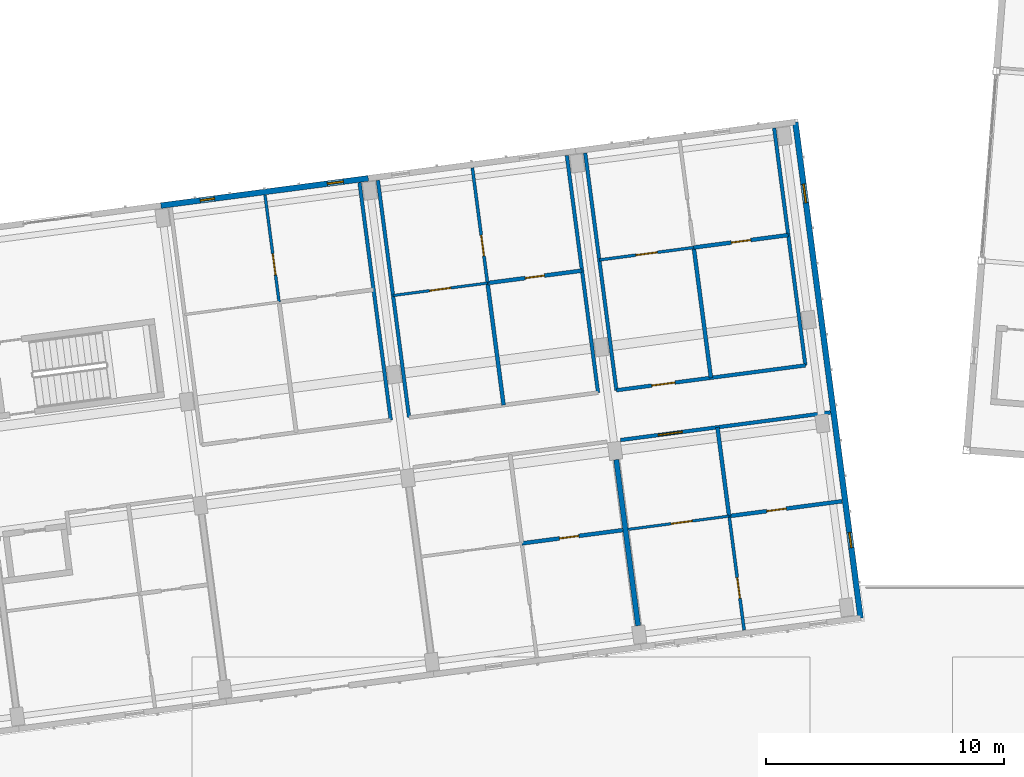
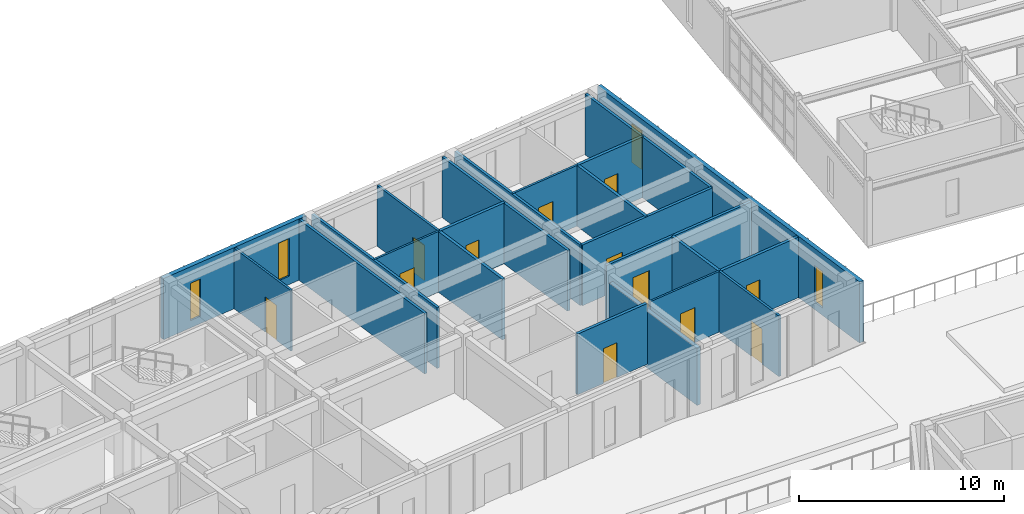
# One storey, part 95 of 150: 23 walls, 12 doors, 4 windows, 16 openings.
"""IFC4 building model written with IfcOpenShell, lengths in metres."""

from ifc_helpers import new_model, si_unit, direction, frame, frame_2d, origin, place, context, subcontext, project, spatial, rectangle, extrude, material, layer, layer_set, type_object, element, fill, save


model = new_model("IFC4")

# Units and contexts
model_context = context("Model", 3, precision=1e-05, world=origin(), true_north=direction((0.0, 1.0)))
body_context = subcontext(model_context, "Body", "Model", "MODEL_VIEW")
ifc_project = project(units=[si_unit("LENGTHUNIT", "METRE"), si_unit("AREAUNIT", "SQUARE_METRE"), si_unit("VOLUMEUNIT", "CUBIC_METRE"), si_unit("PLANEANGLEUNIT", "RADIAN"), si_unit("MASSUNIT", "GRAM", prefix="KILO")], contexts=[model_context])

# Site, building, storey
site_placement = place(None, origin())
site = spatial("IfcSite", under=ifc_project, at=site_placement, CompositionType="ELEMENT")
building_placement = place(site_placement, origin())
building = spatial("IfcBuilding", under=site, at=building_placement, Name="Kestramere Prow Commons", CompositionType="ELEMENT")
storey_placement = place(building_placement, frame((0.0, 0.0, 4.5)))
storey = spatial("IfcBuildingStorey", under=building, at=storey_placement, Name="L01", CompositionType="ELEMENT", Elevation=4.5)

# Wall, openings, windows
ifc_material_1 = material(Name="Fluoropolymer Standing-Seam Zinc-Aluminium Cladding", Category="aluminium")
ifc_layer_1 = layer(ifc_material_1, 0.239990234375)
ifc_layer_set_1 = layer_set([ifc_layer_1], Name="Fluoropolymer Standing-Seam Zinc-Aluminium Cladding")
wall_type_1 = type_object("IfcWallType", Name="EW-SEAM-240", PredefinedType="SOLIDWALL", material=ifc_layer_set_1)
wall_1_placement = place(storey_placement, frame((34.695068359375, 95.79541015625, 0.0), z_axis=(0.0, 0.0, 1.0), x_axis=(0.991447967712, 0.130502595073, 0.0)))
wall_1 = element("IfcWall", 1, at=wall_1_placement, inside=storey, type_object=wall_type_1, Name="Block A L01 North Standing-Seam Wall 4", PredefinedType="SOLIDWALL", context=body_context, shape_type="SweptSolid", body=[
    extrude(rectangle(XDim=8.800048828125, YDim=0.239990234375, at=frame_2d((4.39990234375, 0.0))), origin(), (0.0, 0.0, 1.0), 3.64990234375),
])
opening_1_placement = place(wall_1_placement, frame((1.672119140625, 0.0, 0.43994140625)))
opening_1 = element("IfcOpeningElement", 2, at=opening_1_placement, cuts=wall_1, Name="Opening WN-02", PredefinedType="OPENING", context=body_context, shape_type="SweptSolid", body=[
    extrude(rectangle(XDim=0.60009765625, YDim=2.219970703125, at=frame_2d((0.300048828125, 1.10986328125))), frame((0.0, 0.135009765625, 0.0), z_axis=(0.0, -1.0, 0.0), x_axis=(1.0, 0.0, 0.0)), (0.0, 0.0, 1.0), 0.27001953125),
])
opening_2_placement = place(wall_1_placement, frame((7.06591796875, 0.0, 0.5)))
opening_2 = element("IfcOpeningElement", 3, at=opening_2_placement, cuts=wall_1, Name="Opening WN-06", PredefinedType="OPENING", context=body_context, shape_type="SweptSolid", body=[
    extrude(rectangle(XDim=0.679931640625, YDim=2.239990234375, at=frame_2d((0.33984375, 1.1201171875))), frame((0.0, 0.135009765625, 0.0), z_axis=(0.0, -1.0, 0.0), x_axis=(1.0, 0.0, 0.0)), (0.0, 0.0, 1.0), 0.27001953125),
])
ifc_material_2 = material(Name="Low-E Laminated Double Glazing", Category="glass")
window_type_1 = type_object("IfcWindowType", Name="WN-NAR-600A", PartitioningType="SINGLE_PANEL", PredefinedType="WINDOW", material=ifc_material_2)
window_1_placement = place(opening_1_placement, origin())
window_1 = element("IfcWindow", 4, at=window_1_placement, inside=storey, type_object=window_type_1, Name="WN-A-L01-N-3-0", OverallHeight=2.219970703125, OverallWidth=0.60009765625, PartitioningType="SINGLE_PANEL", PredefinedType="WINDOW", context=body_context, shape_type="SweptSolid", body=[
    extrude(rectangle(XDim=0.60009765625, YDim=2.219970703125, at=frame_2d((0.300048828125, 1.10986328125))), frame((0.0, 0.030029296875, 0.0), z_axis=(0.0, -1.0, 0.0), x_axis=(1.0, 0.0, 0.0)), (0.0, 0.0, 1.0), 0.06005859375),
])
fill(opening_1, window_1)
window_type_2 = type_object("IfcWindowType", Name="WN-NAR-680A", PartitioningType="SINGLE_PANEL", PredefinedType="WINDOW", material=ifc_material_2)
window_2_placement = place(opening_2_placement, origin())
window_2 = element("IfcWindow", 5, at=window_2_placement, inside=storey, type_object=window_type_2, Name="WN-A-L01-N-3-1", OverallHeight=2.239990234375, OverallWidth=0.679931640625, PartitioningType="SINGLE_PANEL", PredefinedType="WINDOW", context=body_context, shape_type="SweptSolid", body=[
    extrude(rectangle(XDim=0.679931640625, YDim=2.239990234375, at=frame_2d((0.33984375, 1.1201171875))), frame((0.0, 0.030029296875, 0.0), z_axis=(0.0, -1.0, 0.0), x_axis=(1.0, 0.0, 0.0)), (0.0, 0.0, 1.0), 0.06005859375),
])
fill(opening_2, window_2)

wall_2_placement = place(storey_placement, frame((61.3896484375, 99.309814453125, 0.0), z_axis=(0.0, 0.0, 1.0), x_axis=(0.13052411616, -0.99144513469, 0.0)))
wall_2 = element("IfcWall", 6, at=wall_2_placement, inside=storey, type_object=wall_type_1, Name="Block A L01 EAV Facet Wall", PredefinedType="SOLIDWALL", context=body_context, shape_type="SweptSolid", body=[
    extrude(rectangle(XDim=21.05029296875, YDim=0.239990234375, at=frame_2d((10.525146484375, 0.0))), origin(), (0.0, 0.0, 1.0), 3.64990234375),
])
opening_3_placement = place(wall_2_placement, frame((2.6298828125, 0.0, 0.52001953125)))
opening_3 = element("IfcOpeningElement", 7, at=opening_3_placement, cuts=wall_2, Name="Opening WN-12", PredefinedType="OPENING", context=body_context, shape_type="SweptSolid", body=[
    extrude(rectangle(XDim=0.800048828125, YDim=2.300048828125, at=frame_2d((0.39990234375, 1.14990234375))), frame((0.0, 0.135009765625, 0.0), z_axis=(0.0, -1.0, 0.0), x_axis=(1.0, 0.0, 0.0)), (0.0, 0.0, 1.0), 0.27001953125),
])
opening_4_placement = place(wall_2_placement, frame((17.419921875, 0.0, 0.449951171875)))
opening_4 = element("IfcOpeningElement", 8, at=opening_4_placement, cuts=wall_2, Name="Opening WN-04", PredefinedType="OPENING", context=body_context, shape_type="SweptSolid", body=[
    extrude(rectangle(XDim=0.639892578125, YDim=2.179931640625, at=frame_2d((0.31982421875, 1.08984375))), frame((0.0, 0.135009765625, 0.0), z_axis=(0.0, -1.0, 0.0), x_axis=(1.0, 0.0, 0.0)), (0.0, 0.0, 1.0), 0.27001953125),
])
window_type_3 = type_object("IfcWindowType", Name="WN-NAR-640A", PartitioningType="SINGLE_PANEL", PredefinedType="WINDOW", material=ifc_material_2)
window_3_placement = place(opening_4_placement, origin())
window_3 = element("IfcWindow", 9, at=window_3_placement, inside=storey, type_object=window_type_3, Name="WN-A-L01-EAV-1", OverallHeight=2.179931640625, OverallWidth=0.639892578125, PartitioningType="SINGLE_PANEL", PredefinedType="WINDOW", context=body_context, shape_type="SweptSolid", body=[
    extrude(rectangle(XDim=0.639892578125, YDim=2.179931640625, at=frame_2d((0.31982421875, 1.08984375))), frame((0.0, 0.030029296875, 0.0), z_axis=(0.0, -1.0, 0.0), x_axis=(1.0, 0.0, 0.0)), (0.0, 0.0, 1.0), 0.06005859375),
])
fill(opening_4, window_3)
window_type_4 = type_object("IfcWindowType", Name="WN-NAR-800A", PartitioningType="SINGLE_PANEL", PredefinedType="WINDOW", material=ifc_material_2)
window_4_placement = place(opening_3_placement, origin())
window_4 = element("IfcWindow", 10, at=window_4_placement, inside=storey, type_object=window_type_4, Name="WN-A-L01-EAV-0", OverallHeight=2.300048828125, OverallWidth=0.800048828125, PartitioningType="SINGLE_PANEL", PredefinedType="WINDOW", context=body_context, shape_type="SweptSolid", body=[
    extrude(rectangle(XDim=0.800048828125, YDim=2.300048828125, at=frame_2d((0.39990234375, 1.14990234375))), frame((0.0, 0.030029296875, 0.0), z_axis=(0.0, -1.0, 0.0), x_axis=(1.0, 0.0, 0.0)), (0.0, 0.0, 1.0), 0.06005859375),
])
fill(opening_3, window_4)

# Wall, opening, door
ifc_material_3 = material(Name="Fire-Rated Calcium Silicate Wall")
ifc_layer_2 = layer(ifc_material_3, 0.155029296875)
ifc_layer_set_2 = layer_set([ifc_layer_2], Name="Fire-Rated Calcium Silicate Wall")
wall_type_2 = type_object("IfcWallType", Name="W-FIRE-150", PredefinedType="PARTITIONING", material=ifc_layer_set_2)
wall_3_placement = place(storey_placement, frame((54.033203125, 85.929931640625, 0.0), z_axis=(0.0, 0.0, 1.0), x_axis=(0.991443380249, 0.130537441989, 0.0)))
wall_3 = element("IfcWall", 11, at=wall_3_placement, inside=storey, type_object=wall_type_2, Name="Interior Partition PW-A-L01-CS-5", PredefinedType="PARTITIONING", context=body_context, shape_type="SweptSolid", body=[
    extrude(rectangle(XDim=8.909912109375, YDim=0.155029296875, at=frame_2d((4.455078125, 0.0))), origin(), (0.0, 0.0, 1.0), 3.6201171875),
])
opening_5_placement = place(wall_3_placement, frame((1.60498046875, 0.0, 0.0)))
opening_5 = element("IfcOpeningElement", 12, at=opening_5_placement, cuts=wall_3, Name="Opening ID-05", PredefinedType="OPENING", context=body_context, shape_type="SweptSolid", body=[
    extrude(rectangle(XDim=1.02001953125, YDim=2.199951171875, at=frame_2d((0.510009765625, 1.10009765625))), frame((0.0, 0.092529296875, 0.0), z_axis=(0.0, -1.0, 0.0), x_axis=(1.0, 0.0, 0.0)), (0.0, 0.0, 1.0), 0.18505859375),
])
ifc_material_4 = material(Name="Hardwood Fire-Rated Flat Entrance Door", Category="wood")
door_type_1 = type_object("IfcDoorType", Name="FD-ENT-02", OperationType="NOTDEFINED", PredefinedType="DOOR", material=ifc_material_4)
door_1_placement = place(opening_5_placement, origin())
door_1 = element("IfcDoor", 13, at=door_1_placement, inside=storey, type_object=door_type_1, Name="Interior Door DR-A-L01-ENT-S5", OperationType="SINGLE_SWING_LEFT", OverallHeight=2.199951171875, OverallWidth=1.02001953125, PredefinedType="DOOR", context=body_context, shape_type="SweptSolid", body=[
    extrude(rectangle(XDim=1.02001953125, YDim=2.199951171875, at=frame_2d((0.510009765625, 1.10009765625))), frame((0.0, 0.02490234375, 0.0), z_axis=(0.0, -1.0, 0.0), x_axis=(1.0, 0.0, 0.0)), (0.0, 0.0, 1.0), 0.050048828125),
])
fill(opening_5, door_1)

wall_4_placement = place(storey_placement, frame((53.86328125, 88.02587890625, 0.0), z_axis=(0.0, 0.0, 1.0), x_axis=(0.991447973994, 0.130502547346, 0.0)))
wall_4 = element("IfcWall", 14, at=wall_4_placement, inside=storey, type_object=wall_type_2, Name="Interior Partition PW-A-L01-CN-5", PredefinedType="PARTITIONING", context=body_context, shape_type="SweptSolid", body=[
    extrude(rectangle(XDim=8.02001953125, YDim=0.155029296875, at=frame_2d((4.010009765625, 0.0))), origin(), (0.0, 0.0, 1.0), 3.6201171875),
])
opening_6_placement = place(wall_4_placement, frame((1.5048828125, 0.0, 0.0)))
opening_6 = element("IfcOpeningElement", 15, at=opening_6_placement, cuts=wall_4, Name="Opening ID-04", PredefinedType="OPENING", context=body_context, shape_type="SweptSolid", body=[
    extrude(rectangle(XDim=0.97998046875, YDim=2.14990234375, at=frame_2d((0.489990234375, 1.074951171875))), frame((0.0, 0.092529296875, 0.0), z_axis=(0.0, -1.0, 0.0), x_axis=(1.0, 0.0, 0.0)), (0.0, 0.0, 1.0), 0.18505859375),
])
door_type_2 = type_object("IfcDoorType", Name="FD-ENT-01", OperationType="NOTDEFINED", PredefinedType="DOOR", material=ifc_material_4)
door_2_placement = place(opening_6_placement, origin())
door_2 = element("IfcDoor", 16, at=door_2_placement, inside=storey, type_object=door_type_2, Name="Interior Door DR-A-L01-ENT-N5", OperationType="SINGLE_SWING_RIGHT", OverallHeight=2.14990234375, OverallWidth=0.97998046875, PredefinedType="DOOR", context=body_context, shape_type="SweptSolid", body=[
    extrude(rectangle(XDim=0.97998046875, YDim=2.14990234375, at=frame_2d((0.489990234375, 1.074951171875))), frame((0.0, 0.02490234375, 0.0), z_axis=(0.0, -1.0, 0.0), x_axis=(1.0, 0.0, 0.0)), (0.0, 0.0, 1.0), 0.050048828125),
])
fill(opening_6, door_2)

ifc_material_5 = material(Name="Gypsum Acoustic Drywall")
ifc_layer_3 = layer(ifc_material_5, 0.110107421875)
ifc_layer_set_3 = layer_set([ifc_layer_3], Name="Gypsum Acoustic Drywall")
wall_type_3 = type_object("IfcWallType", Name="W-PART-110", PredefinedType="PARTITIONING", material=ifc_layer_set_3)
wall_5_placement = place(storey_placement, frame((54.356689453125, 82.170166015625, 0.0), z_axis=(0.0, 0.0, 1.0), x_axis=(0.991444014242, 0.130532626667, 0.0)))
wall_5 = element("IfcWall", 17, at=wall_5_placement, inside=storey, type_object=wall_type_3, Name="Interior Partition PW-A-L01-MIDS1-5", PredefinedType="PARTITIONING", context=body_context, shape_type="SweptSolid", body=[
    extrude(rectangle(XDim=4.284912109375, YDim=0.110107421875, at=frame_2d((2.142578125, 0.0))), origin(), (0.0, 0.0, 1.0), 3.6201171875),
])
opening_7_placement = place(wall_5_placement, frame((1.824951171875, 0.0, 0.0)))
opening_7 = element("IfcOpeningElement", 18, at=opening_7_placement, cuts=wall_5, Name="Opening ID-08", PredefinedType="OPENING", context=body_context, shape_type="SweptSolid", body=[
    extrude(rectangle(XDim=0.89990234375, YDim=2.10009765625, at=frame_2d((0.449951171875, 1.050048828125))), frame((0.0, 0.070068359375, 0.0), z_axis=(0.0, -1.0, 0.0), x_axis=(1.0, 0.0, 0.0)), (0.0, 0.0, 1.0), 0.14013671875),
])
ifc_material_6 = material(Name="Engineered Timber Flush Door", Category="wood")
door_type_3 = type_object("IfcDoorType", Name="D-RM-01", OperationType="NOTDEFINED", PredefinedType="DOOR", material=ifc_material_6)
door_3_placement = place(opening_7_placement, origin())
door_3 = element("IfcDoor", 19, at=door_3_placement, inside=storey, type_object=door_type_3, Name="Interior Door DR-A-L01-KL-S5", OperationType="SINGLE_SWING_RIGHT", OverallHeight=2.10009765625, OverallWidth=0.89990234375, PredefinedType="DOOR", context=body_context, shape_type="SweptSolid", body=[
    extrude(rectangle(XDim=0.89990234375, YDim=2.10009765625, at=frame_2d((0.449951171875, 1.050048828125))), frame((0.0, 0.02490234375, 0.0), z_axis=(0.0, -1.0, 0.0), x_axis=(1.0, 0.0, 0.0)), (0.0, 0.0, 1.0), 0.050048828125),
])
fill(opening_7, door_3)

wall_6_placement = place(storey_placement, frame((44.46240234375, 92.012939453125, 0.0), z_axis=(0.0, 0.0, 1.0), x_axis=(0.991451394038, 0.130476562111, 0.0)))
wall_6 = element("IfcWall", 20, at=wall_6_placement, inside=storey, type_object=wall_type_3, Name="Interior Partition PW-A-L01-MIDN1-4", PredefinedType="PARTITIONING", context=body_context, shape_type="SweptSolid", body=[
    extrude(rectangle(XDim=4.009765625, YDim=0.110107421875, at=frame_2d((2.0048828125, 0.0))), origin(), (0.0, 0.0, 1.0), 3.6201171875),
])
opening_8_placement = place(wall_6_placement, frame((1.554931640625, 0.0, 0.0)))
opening_8 = element("IfcOpeningElement", 21, at=opening_8_placement, cuts=wall_6, Name="Opening ID-08", PredefinedType="OPENING", context=body_context, shape_type="SweptSolid", body=[
    extrude(rectangle(XDim=0.89990234375, YDim=2.10009765625, at=frame_2d((0.449951171875, 1.050048828125))), frame((0.0, 0.070068359375, 0.0), z_axis=(0.0, -1.0, 0.0), x_axis=(1.0, 0.0, 0.0)), (0.0, 0.0, 1.0), 0.14013671875),
])
door_4_placement = place(opening_8_placement, origin())
door_4 = element("IfcDoor", 22, at=door_4_placement, inside=storey, type_object=door_type_3, Name="Interior Door DR-A-L01-KL-N4", OperationType="SINGLE_SWING_LEFT", OverallHeight=2.10009765625, OverallWidth=0.89990234375, PredefinedType="DOOR", context=body_context, shape_type="SweptSolid", body=[
    extrude(rectangle(XDim=0.89990234375, YDim=2.10009765625, at=frame_2d((0.449951171875, 1.050048828125))), frame((0.0, 0.02490234375, 0.0), z_axis=(0.0, -1.0, 0.0), x_axis=(1.0, 0.0, 0.0)), (0.0, 0.0, 1.0), 0.050048828125),
])
fill(opening_8, door_4)

ifc_material_7 = material(Name="Lightweight Blockwork and Plaster", Category="masonry")
ifc_layer_4 = layer(ifc_material_7, 0.1201171875)
ifc_layer_set_4 = layer_set([ifc_layer_4], Name="Lightweight Blockwork and Plaster")
wall_type_4 = type_object("IfcWallType", Name="W-PART-120", PredefinedType="PARTITIONING", material=ifc_layer_set_4)
wall_7_placement = place(storey_placement, frame((39.667724609375, 91.734619140625, 0.0), z_axis=(0.0, 0.0, 1.0), x_axis=(-0.130564403497, 0.991439830015, 0.0)))
wall_7 = element("IfcWall", 23, at=wall_7_placement, inside=storey, type_object=wall_type_4, Name="Interior Partition PW-A-L01-LB-N3", PredefinedType="PARTITIONING", context=body_context, shape_type="SweptSolid", body=[
    extrude(rectangle(XDim=4.5400390625, YDim=0.1201171875, at=frame_2d((2.27001953125, 0.0))), origin(), (0.0, 0.0, 1.0), 3.6201171875),
])
opening_9_placement = place(wall_7_placement, frame((1.14990234375, 0.0, 0.0)))
opening_9 = element("IfcOpeningElement", 24, at=opening_9_placement, cuts=wall_7, Name="Opening ID-08", PredefinedType="OPENING", context=body_context, shape_type="SweptSolid", body=[
    extrude(rectangle(XDim=0.89990234375, YDim=2.10009765625, at=frame_2d((0.449951171875, 1.050048828125))), frame((0.0, 0.074951171875, 0.0), z_axis=(0.0, -1.0, 0.0), x_axis=(1.0, 0.0, 0.0)), (0.0, 0.0, 1.0), 0.150146484375),
])
door_5_placement = place(opening_9_placement, origin())
door_5 = element("IfcDoor", 25, at=door_5_placement, inside=storey, type_object=door_type_3, Name="Interior Door DR-A-L01-BED-N3", OperationType="SINGLE_SWING_LEFT", OverallHeight=2.10009765625, OverallWidth=0.89990234375, PredefinedType="DOOR", context=body_context, shape_type="SweptSolid", body=[
    extrude(rectangle(XDim=0.89990234375, YDim=2.10009765625, at=frame_2d((0.449951171875, 1.050048828125))), frame((0.0, 0.02490234375, 0.0), z_axis=(0.0, -1.0, 0.0), x_axis=(1.0, 0.0, 0.0)), (0.0, 0.0, 1.0), 0.050048828125),
])
fill(opening_9, door_5)

wall_8_placement = place(storey_placement, frame((53.141357421875, 93.508544921875, 0.0), z_axis=(0.0, 0.0, 1.0), x_axis=(0.991444553502, 0.130528530716, 0.0)))
wall_8 = element("IfcWall", 26, at=wall_8_placement, inside=storey, type_object=wall_type_4, Name="Interior Partition PW-A-L01-MIDN1-5", PredefinedType="PARTITIONING", context=body_context, shape_type="SweptSolid", body=[
    extrude(rectangle(XDim=4.01025390625, YDim=0.1201171875, at=frame_2d((2.005126953125, 0.0))), origin(), (0.0, 0.0, 1.0), 3.6201171875),
])
opening_10_placement = place(wall_8_placement, frame((1.554931640625, 0.0, 0.0)))
opening_10 = element("IfcOpeningElement", 27, at=opening_10_placement, cuts=wall_8, Name="Opening ID-08", PredefinedType="OPENING", context=body_context, shape_type="SweptSolid", body=[
    extrude(rectangle(XDim=0.89990234375, YDim=2.10009765625, at=frame_2d((0.449951171875, 1.050048828125))), frame((0.0, 0.074951171875, 0.0), z_axis=(0.0, -1.0, 0.0), x_axis=(1.0, 0.0, 0.0)), (0.0, 0.0, 1.0), 0.150146484375),
])
door_6_placement = place(opening_10_placement, origin())
door_6 = element("IfcDoor", 28, at=door_6_placement, inside=storey, type_object=door_type_3, Name="Interior Door DR-A-L01-KL-N5", OperationType="SINGLE_SWING_LEFT", OverallHeight=2.10009765625, OverallWidth=0.89990234375, PredefinedType="DOOR", context=body_context, shape_type="SweptSolid", body=[
    extrude(rectangle(XDim=0.89990234375, YDim=2.10009765625, at=frame_2d((0.449951171875, 1.050048828125))), frame((0.0, 0.02490234375, 0.0), z_axis=(0.0, -1.0, 0.0), x_axis=(1.0, 0.0, 0.0)), (0.0, 0.0, 1.0), 0.050048828125),
])
fill(opening_10, door_6)

ifc_layer_5 = layer(ifc_material_7, 0.1298828125)
ifc_layer_set_5 = layer_set([ifc_layer_5], Name="Lightweight Blockwork and Plaster")
wall_type_5 = type_object("IfcWallType", Name="W-PART-130", PredefinedType="PARTITIONING", material=ifc_layer_set_5)
wall_9_placement = place(storey_placement, frame((59.23681640625, 77.930908203125, 0.0), z_axis=(0.0, 0.0, 1.0), x_axis=(-0.130544545786, 0.991442444908, 0.0)))
wall_9 = element("IfcWall", 29, at=wall_9_placement, inside=storey, type_object=wall_type_5, Name="Interior Partition PW-A-L01-LB-S5", PredefinedType="PARTITIONING", context=body_context, shape_type="SweptSolid", body=[
    extrude(rectangle(XDim=4.840087890625, YDim=0.1298828125, at=frame_2d((2.419921875, 0.0))), origin(), (0.0, 0.0, 1.0), 3.6201171875),
])
opening_11_placement = place(wall_9_placement, frame((1.35009765625, 0.0, 0.0)))
opening_11 = element("IfcOpeningElement", 30, at=opening_11_placement, cuts=wall_9, Name="Opening ID-10", PredefinedType="OPENING", context=body_context, shape_type="SweptSolid", body=[
    extrude(rectangle(XDim=0.8798828125, YDim=2.10009765625, at=frame_2d((0.43994140625, 1.050048828125))), frame((0.0, 0.079833984375, 0.0), z_axis=(0.0, -1.0, 0.0), x_axis=(1.0, 0.0, 0.0)), (0.0, 0.0, 1.0), 0.159912109375),
])
ifc_material_8 = material(Name="Engineered Timber Bedroom Door", Category="wood")
door_type_4 = type_object("IfcDoorType", Name="D-RM-03", OperationType="NOTDEFINED", PredefinedType="DOOR", material=ifc_material_8)
door_7_placement = place(opening_11_placement, origin())
door_7 = element("IfcDoor", 31, at=door_7_placement, inside=storey, type_object=door_type_4, Name="Interior Door DR-A-L01-BED-S5", OperationType="SINGLE_SWING_RIGHT", OverallHeight=2.10009765625, OverallWidth=0.8798828125, PredefinedType="DOOR", context=body_context, shape_type="SweptSolid", body=[
    extrude(rectangle(XDim=0.8798828125, YDim=2.10009765625, at=frame_2d((0.43994140625, 1.050048828125))), frame((0.0, 0.02490234375, 0.0), z_axis=(0.0, -1.0, 0.0), x_axis=(1.0, 0.0, 0.0)), (0.0, 0.0, 1.0), 0.050048828125),
])
fill(opening_11, door_7)

wall_10_placement = place(storey_placement, frame((48.43798828125, 92.5361328125, 0.0), z_axis=(0.0, 0.0, 1.0), x_axis=(-0.130508755558, 0.991447156798, 0.0)))
wall_10 = element("IfcWall", 32, at=wall_10_placement, inside=storey, type_object=wall_type_5, Name="Interior Partition PW-A-L01-LB-N4", PredefinedType="PARTITIONING", context=body_context, shape_type="SweptSolid", body=[
    extrude(rectangle(XDim=4.889892578125, YDim=0.1298828125, at=frame_2d((2.44482421875, 0.0))), origin(), (0.0, 0.0, 1.0), 3.6201171875),
])
opening_12_placement = place(wall_10_placement, frame((1.14990234375, 0.0, 0.0)))
opening_12 = element("IfcOpeningElement", 33, at=opening_12_placement, cuts=wall_10, Name="Opening ID-10", PredefinedType="OPENING", context=body_context, shape_type="SweptSolid", body=[
    extrude(rectangle(XDim=0.8798828125, YDim=2.10009765625, at=frame_2d((0.43994140625, 1.050048828125))), frame((0.0, 0.079833984375, 0.0), z_axis=(0.0, -1.0, 0.0), x_axis=(1.0, 0.0, 0.0)), (0.0, 0.0, 1.0), 0.159912109375),
])
door_8_placement = place(opening_12_placement, origin())
door_8 = element("IfcDoor", 34, at=door_8_placement, inside=storey, type_object=door_type_4, Name="Interior Door DR-A-L01-BED-N4", OperationType="SINGLE_SWING_LEFT", OverallHeight=2.10009765625, OverallWidth=0.8798828125, PredefinedType="DOOR", context=body_context, shape_type="SweptSolid", body=[
    extrude(rectangle(XDim=0.8798828125, YDim=2.10009765625, at=frame_2d((0.43994140625, 1.050048828125))), frame((0.0, 0.02490234375, 0.0), z_axis=(0.0, -1.0, 0.0), x_axis=(1.0, 0.0, 0.0)), (0.0, 0.0, 1.0), 0.050048828125),
])
fill(opening_12, door_8)

# Walls
ifc_material_9 = material(Name="Masonry Compartment Wall", Category="masonry")
ifc_layer_6 = layer(ifc_material_9, 0.14990234375)
ifc_layer_set_6 = layer_set([ifc_layer_6], Name="Masonry Compartment Wall")
wall_type_6 = type_object("IfcWallType", Name="W-PART-150", PredefinedType="PARTITIONING", material=ifc_layer_set_6)
for number, where, z_axis, x_axis, name in (
    (35, (44.365234375, 86.775390625, 0.0), (0.0, 0.0, 1.0), (-0.130531024319, 0.991444225204, 0.0), "Interior Partition PW-A-L01-NWR-3"),
    (36, (45.138427734375, 86.877197265625, 0.0), (0.0, 0.0, 1.0), (-0.130531024319, 0.991444225204, 0.0), "Interior Partition PW-A-L01-NWL-4"),
):
    element("IfcWall", number, at=place(storey_placement, frame(where, z_axis=z_axis, x_axis=x_axis)), inside=storey, type_object=wall_type_6, Name=name, PredefinedType="PARTITIONING", context=body_context, shape_type="SweptSolid", body=[
        extrude(rectangle(XDim=10.070068359375, YDim=0.14990234375, at=frame_2d((5.03515625, 0.0))), origin(), (0.0, 0.0, 1.0), 3.6201171875),
    ])
for number, where, z_axis, x_axis, name in (
    (37, (53.08984375, 87.924072265625, 0.0), (0.0, 0.0, 1.0), (-0.130534161944, 0.991443812107, 0.0), "Interior Partition PW-A-L01-NWR-4"),
    (38, (53.86328125, 88.02587890625, 0.0), (0.0, 0.0, 1.0), (-0.130534161944, 0.991443812107, 0.0), "Interior Partition PW-A-L01-NWL-5"),
):
    element("IfcWall", number, at=place(storey_placement, frame(where, z_axis=z_axis, x_axis=x_axis)), inside=storey, type_object=wall_type_6, Name=name, PredefinedType="PARTITIONING", context=body_context, shape_type="SweptSolid", body=[
        extrude(rectangle(XDim=10.06982421875, YDim=0.14990234375, at=frame_2d((5.034912109375, 0.0))), origin(), (0.0, 0.0, 1.0), 3.6201171875),
    ])
wall_11_placement = place(storey_placement, frame((61.814697265625, 89.072509765625, 0.0), z_axis=(0.0, 0.0, 1.0), x_axis=(-0.130531024319, 0.991444225204, 0.0)))
element("IfcWall", 39, at=wall_11_placement, inside=storey, type_object=wall_type_6, Name="Interior Partition PW-A-L01-NWR-5", PredefinedType="PARTITIONING", context=body_context, shape_type="SweptSolid", body=[
    extrude(rectangle(XDim=10.070068359375, YDim=0.14990234375, at=frame_2d((5.03515625, 0.0))), origin(), (0.0, 0.0, 1.0), 3.6201171875),
])

# Wall, opening, door
ifc_material_10 = material(Name="Waterproof Sanitary Masonry Wall", Category="masonry")
ifc_layer_7 = layer(ifc_material_10, 0.1650390625)
ifc_layer_set_7 = layer_set([ifc_layer_7], Name="Waterproof Sanitary Masonry Wall")
wall_type_7 = type_object("IfcWallType", Name="W-PLUMB-150", PredefinedType="PLUMBINGWALL", material=ifc_layer_set_7)
wall_12_placement = place(storey_placement, frame((49.88037109375, 81.580810546875, 0.0), z_axis=(0.0, 0.0, 1.0), x_axis=(0.991444014242, 0.130532626667, 0.0)))
wall_12 = element("IfcWall", 40, at=wall_12_placement, inside=storey, type_object=wall_type_7, Name="Interior Partition PW-A-L01-MIDS2-4", PredefinedType="PLUMBINGWALL", context=body_context, shape_type="SweptSolid", body=[
    extrude(rectangle(XDim=4.284912109375, YDim=0.1650390625, at=frame_2d((2.142578125, 0.0))), origin(), (0.0, 0.0, 1.0), 3.6201171875),
])
opening_13_placement = place(wall_12_placement, frame((1.60009765625, 0.0, 0.0)))
opening_13 = element("IfcOpeningElement", 41, at=opening_13_placement, cuts=wall_12, Name="Opening ID-11", PredefinedType="OPENING", context=body_context, shape_type="SweptSolid", body=[
    extrude(rectangle(XDim=0.820068359375, YDim=2.080078125, at=frame_2d((0.41015625, 1.0400390625))), frame((0.0, 0.097412109375, 0.0), z_axis=(0.0, -1.0, 0.0), x_axis=(1.0, 0.0, 0.0)), (0.0, 0.0, 1.0), 0.195068359375),
])
ifc_material_11 = material(Name="Moisture-Resistant Timber Bathroom Door", Category="wood")
door_type_5 = type_object("IfcDoorType", Name="D-BT-01", OperationType="NOTDEFINED", PredefinedType="DOOR", material=ifc_material_11)
door_9_placement = place(opening_13_placement, origin())
door_9 = element("IfcDoor", 42, at=door_9_placement, inside=storey, type_object=door_type_5, Name="Interior Door DR-A-L01-BTH-S4", OperationType="SINGLE_SWING_LEFT", OverallHeight=2.080078125, OverallWidth=0.820068359375, PredefinedType="DOOR", context=body_context, shape_type="SweptSolid", body=[
    extrude(rectangle(XDim=0.820068359375, YDim=2.080078125, at=frame_2d((0.41015625, 1.0400390625))), frame((0.0, 0.02490234375, 0.0), z_axis=(0.0, -1.0, 0.0), x_axis=(1.0, 0.0, 0.0)), (0.0, 0.0, 1.0), 0.050048828125),
])
fill(opening_13, door_9)

wall_13_placement = place(storey_placement, frame((58.60498046875, 82.7294921875, 0.0), z_axis=(0.0, 0.0, 1.0), x_axis=(0.991449269254, 0.130492706676, 0.0)))
wall_13 = element("IfcWall", 43, at=wall_13_placement, inside=storey, type_object=wall_type_7, Name="Interior Partition PW-A-L01-MIDS2-5", PredefinedType="PLUMBINGWALL", context=body_context, shape_type="SweptSolid", body=[
    extrude(rectangle(XDim=4.795166015625, YDim=0.1650390625, at=frame_2d((2.3974609375, 0.0))), origin(), (0.0, 0.0, 1.0), 3.6201171875),
])
opening_14_placement = place(wall_13_placement, frame((1.60009765625, 0.0, 0.0)))
opening_14 = element("IfcOpeningElement", 44, at=opening_14_placement, cuts=wall_13, Name="Opening ID-11", PredefinedType="OPENING", context=body_context, shape_type="SweptSolid", body=[
    extrude(rectangle(XDim=0.820068359375, YDim=2.080078125, at=frame_2d((0.41015625, 1.0400390625))), frame((0.0, 0.097412109375, 0.0), z_axis=(0.0, -1.0, 0.0), x_axis=(1.0, 0.0, 0.0)), (0.0, 0.0, 1.0), 0.195068359375),
])
door_10_placement = place(opening_14_placement, origin())
door_10 = element("IfcDoor", 45, at=door_10_placement, inside=storey, type_object=door_type_5, Name="Interior Door DR-A-L01-BTH-S5", OperationType="SINGLE_SWING_LEFT", OverallHeight=2.080078125, OverallWidth=0.820068359375, PredefinedType="DOOR", context=body_context, shape_type="SweptSolid", body=[
    extrude(rectangle(XDim=0.820068359375, YDim=2.080078125, at=frame_2d((0.41015625, 1.0400390625))), frame((0.0, 0.02490234375, 0.0), z_axis=(0.0, -1.0, 0.0), x_axis=(1.0, 0.0, 0.0)), (0.0, 0.0, 1.0), 0.050048828125),
])
fill(opening_14, door_10)

# Wall
wall_14_placement = place(storey_placement, frame((58.60498046875, 82.7294921875, 0.0), z_axis=(0.0, 0.0, 1.0), x_axis=(-0.130496394248, 0.991448783896, 0.0)))
element("IfcWall", 46, at=wall_14_placement, inside=storey, type_object=wall_type_7, Name="Interior Partition PW-A-L01-KB-S5", PredefinedType="PLUMBINGWALL", context=body_context, shape_type="SweptSolid", body=[
    extrude(rectangle(XDim=3.769775390625, YDim=0.1650390625, at=frame_2d((1.884765625, 0.0))), origin(), (0.0, 0.0, 1.0), 3.6201171875),
])

# Wall, opening, door
wall_15_placement = place(storey_placement, frame((48.43798828125, 92.5361328125, 0.0), z_axis=(0.0, 0.0, 1.0), x_axis=(0.991444553502, 0.130528530716, 0.0)))
wall_15 = element("IfcWall", 47, at=wall_15_placement, inside=storey, type_object=wall_type_7, Name="Interior Partition PW-A-L01-MIDN2-4", PredefinedType="PLUMBINGWALL", context=body_context, shape_type="SweptSolid", body=[
    extrude(rectangle(XDim=4.01025390625, YDim=0.1650390625, at=frame_2d((2.005126953125, 0.0))), origin(), (0.0, 0.0, 1.0), 3.6201171875),
])
opening_15_placement = place(wall_15_placement, frame((1.594970703125, 0.0, 0.0)))
opening_15 = element("IfcOpeningElement", 48, at=opening_15_placement, cuts=wall_15, Name="Opening ID-11", PredefinedType="OPENING", context=body_context, shape_type="SweptSolid", body=[
    extrude(rectangle(XDim=0.820068359375, YDim=2.080078125, at=frame_2d((0.41015625, 1.0400390625))), frame((0.0, 0.097412109375, 0.0), z_axis=(0.0, -1.0, 0.0), x_axis=(1.0, 0.0, 0.0)), (0.0, 0.0, 1.0), 0.195068359375),
])
door_11_placement = place(opening_15_placement, origin())
door_11 = element("IfcDoor", 49, at=door_11_placement, inside=storey, type_object=door_type_5, Name="Interior Door DR-A-L01-BTH-N4", OperationType="SINGLE_SWING_RIGHT", OverallHeight=2.080078125, OverallWidth=0.820068359375, PredefinedType="DOOR", context=body_context, shape_type="SweptSolid", body=[
    extrude(rectangle(XDim=0.820068359375, YDim=2.080078125, at=frame_2d((0.41015625, 1.0400390625))), frame((0.0, 0.02490234375, 0.0), z_axis=(0.0, -1.0, 0.0), x_axis=(1.0, 0.0, 0.0)), (0.0, 0.0, 1.0), 0.050048828125),
])
fill(opening_15, door_11)

# Wall
wall_16_placement = place(storey_placement, frame((49.1142578125, 87.400634765625, 0.0), z_axis=(0.0, 0.0, 1.0), x_axis=(-0.130558146496, 0.99144065399, 0.0)))
element("IfcWall", 50, at=wall_16_placement, inside=storey, type_object=wall_type_7, Name="Interior Partition PW-A-L01-KB-N4", PredefinedType="PLUMBINGWALL", context=body_context, shape_type="SweptSolid", body=[
    extrude(rectangle(XDim=5.179931640625, YDim=0.1650390625, at=frame_2d((2.58984375, 0.0))), origin(), (0.0, 0.0, 1.0), 3.6201171875),
])

# Wall, opening, door
wall_17_placement = place(storey_placement, frame((57.1171875, 94.031982421875, 0.0), z_axis=(0.0, 0.0, 1.0), x_axis=(0.991451394038, 0.130476562111, 0.0)))
wall_17 = element("IfcWall", 51, at=wall_17_placement, inside=storey, type_object=wall_type_7, Name="Interior Partition PW-A-L01-MIDN2-5", PredefinedType="PLUMBINGWALL", context=body_context, shape_type="SweptSolid", body=[
    extrude(rectangle(XDim=4.009765625, YDim=0.1650390625, at=frame_2d((2.0048828125, 0.0))), origin(), (0.0, 0.0, 1.0), 3.6201171875),
])
opening_16_placement = place(wall_17_placement, frame((1.594970703125, 0.0, 0.0)))
opening_16 = element("IfcOpeningElement", 52, at=opening_16_placement, cuts=wall_17, Name="Opening ID-11", PredefinedType="OPENING", context=body_context, shape_type="SweptSolid", body=[
    extrude(rectangle(XDim=0.820068359375, YDim=2.080078125, at=frame_2d((0.41015625, 1.0400390625))), frame((0.0, 0.097412109375, 0.0), z_axis=(0.0, -1.0, 0.0), x_axis=(1.0, 0.0, 0.0)), (0.0, 0.0, 1.0), 0.195068359375),
])
door_12_placement = place(opening_16_placement, origin())
door_12 = element("IfcDoor", 53, at=door_12_placement, inside=storey, type_object=door_type_5, Name="Interior Door DR-A-L01-BTH-N5", OperationType="SINGLE_SWING_RIGHT", OverallHeight=2.080078125, OverallWidth=0.820068359375, PredefinedType="DOOR", context=body_context, shape_type="SweptSolid", body=[
    extrude(rectangle(XDim=0.820068359375, YDim=2.080078125, at=frame_2d((0.41015625, 1.0400390625))), frame((0.0, 0.02490234375, 0.0), z_axis=(0.0, -1.0, 0.0), x_axis=(1.0, 0.0, 0.0)), (0.0, 0.0, 1.0), 0.050048828125),
])
fill(opening_16, door_12)

# Walls
wall_18_placement = place(storey_placement, frame((57.8388671875, 88.549072265625, 0.0), z_axis=(0.0, 0.0, 1.0), x_axis=(-0.130497907928, 0.991448584661, 0.0)))
element("IfcWall", 54, at=wall_18_placement, inside=storey, type_object=wall_type_7, Name="Interior Partition PW-A-L01-KB-N5", PredefinedType="PLUMBINGWALL", context=body_context, shape_type="SweptSolid", body=[
    extrude(rectangle(XDim=5.5302734375, YDim=0.1650390625, at=frame_2d((2.76513671875, 0.0))), origin(), (0.0, 0.0, 1.0), 3.6201171875),
])
ifc_material_12 = material(Name="Precast concrete C40/50", Category="concrete")
ifc_layer_8 = layer(ifc_material_12, 0.219970703125)
ifc_layer_set_8 = layer_set([ifc_layer_8], Name="Precast concrete C40/50")
wall_type_8 = type_object("IfcWallType", Name="W-XWALL-220", PredefinedType="SHEAR", material=ifc_layer_set_8)
wall_19_placement = place(storey_placement, frame((54.774658203125, 78.114990234375, -0.25), z_axis=(0.0, 0.0, 1.0), x_axis=(-0.130519009654, 0.99144580695, 0.0)))
element("IfcWall", 55, at=wall_19_placement, inside=storey, type_object=wall_type_8, Name="Block A L01 Precast Cross-Wall 5", PredefinedType="SHEAR", context=body_context, shape_type="SweptSolid", body=[
    extrude(rectangle(XDim=7.050048828125, YDim=0.219970703125, at=frame_2d((3.52490234375, 0.0))), origin(), (0.0, 0.0, 1.0), 3.39990234375),
])

save(model, "model.ifc")
